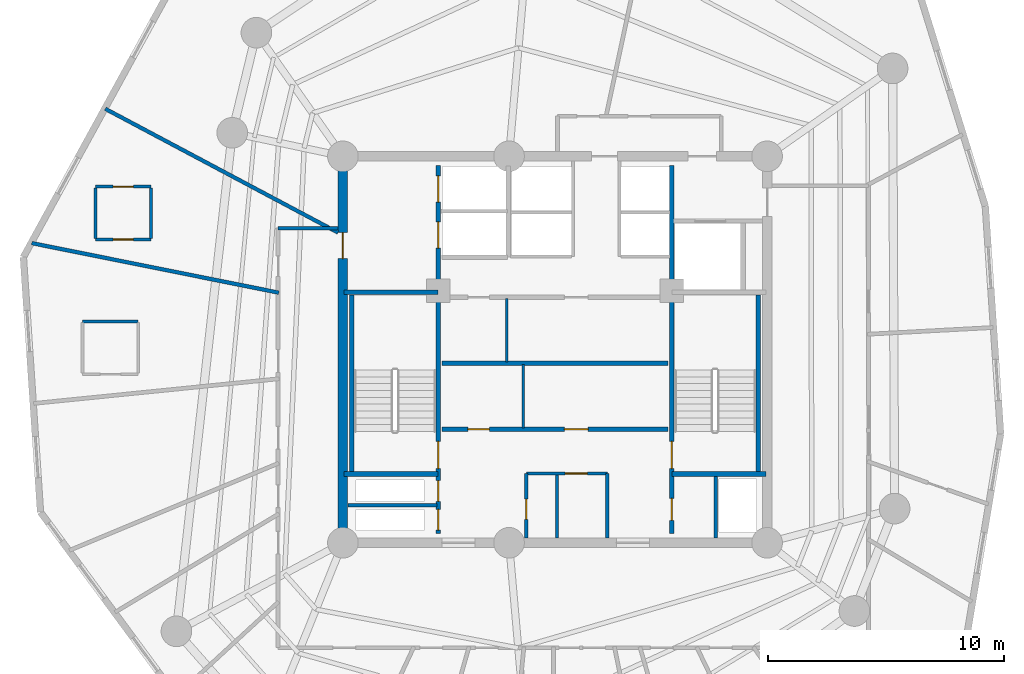
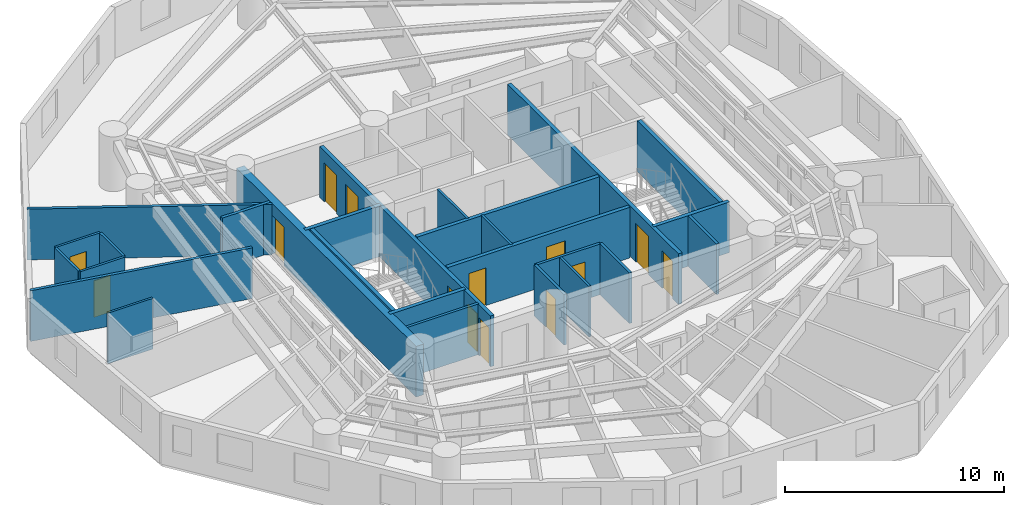
# One storey, part 4 of 7: 26 walls, 14 doors, 14 openings.
"""IFC4 building model written with IfcOpenShell, lengths in metres."""

from ifc_helpers import new_model, si_unit, direction, frame, frame_2d, origin, origin_with_axes, place, context, subcontext, project, spatial, rectangle, extrude, source, transform, mapped, material, layer, layer_set, type_object, element, fill, save


model = new_model("IFC4")

# Units and contexts
model_context = context("Model", 3, precision=1e-05, world=origin(), true_north=direction((0.0, 1.0)))
body_context = subcontext(model_context, "Body", "Model", "MODEL_VIEW")
ifc_project = project(units=[si_unit("LENGTHUNIT", "METRE"), si_unit("AREAUNIT", "SQUARE_METRE"), si_unit("VOLUMEUNIT", "CUBIC_METRE"), si_unit("PLANEANGLEUNIT", "RADIAN"), si_unit("MASSUNIT", "GRAM", prefix="KILO")], contexts=[model_context])

# Site, building, storey
site_placement = place(None, origin())
site = spatial("IfcSite", under=ifc_project, at=site_placement, CompositionType="ELEMENT")
building_placement = place(site_placement, origin())
building = spatial("IfcBuilding", under=site, at=building_placement, Name="Karkom Vertical University and Central Library", CompositionType="ELEMENT")
storey_placement = place(building_placement, frame((0.0, 0.0, 196.199951171875)))
storey = spatial("IfcBuildingStorey", under=building, at=storey_placement, Name="L57", CompositionType="ELEMENT", Elevation=196.199951171875)

# Walls
ifc_material_1 = material(Name="Insulated metal-stud drywall 160mm", Category="gypsum")
ifc_layer_1 = layer(ifc_material_1, 0.159912109375)
ifc_layer_set_1 = layer_set([ifc_layer_1], Name="Insulated metal-stud drywall 160mm")
wall_type_1 = type_object("IfcWallType", Name="INT-WL-COR-160", PredefinedType="PARTITIONING", material=ifc_layer_set_1)
wall_1_placement = place(storey_placement, frame((19.293701171875, 31.463134765625, 0.0), z_axis=(0.0, 0.0, 1.0), x_axis=(-0.882956882712, 0.469454090697, 0.0)))
element("IfcWall", 1, at=wall_1_placement, inside=storey, type_object=wall_type_1, Name="Level 57 Interior Partition Wall L57-PW-018", PredefinedType="PARTITIONING", context=body_context, shape_type="SweptSolid", body=[
    extrude(rectangle(XDim=11.18798828125, YDim=0.159912109375, at=frame_2d((5.593994140625, 0.0))), origin(), (0.0, 0.0, 1.0), 2.824951171875),
])
wall_2_placement = place(storey_placement, frame((16.779296875, 28.91259765625, 0.0), z_axis=(0.0, 0.0, 1.0), x_axis=(-0.980460157776, 0.196717764868, 0.0)))
element("IfcWall", 2, at=wall_2_placement, inside=storey, type_object=wall_type_1, Name="Level 57 Interior Partition Wall L57-PW-019", PredefinedType="PARTITIONING", context=body_context, shape_type="SweptSolid", body=[
    extrude(rectangle(XDim=10.690673828125, YDim=0.159912109375, at=frame_2d((5.34521484375, 0.0))), origin(), (0.0, 0.0, 1.0), 2.824951171875),
])
wall_3_placement = place(storey_placement, frame((16.75, 31.64990234375, 0.0), z_axis=(0.0, 0.0, 1.0), x_axis=(1.0, 0.0, 0.0)))
element("IfcWall", 3, at=wall_3_placement, inside=storey, type_object=wall_type_1, Name="Level 57 Interior Partition Wall L57-CORW-CW-003", PredefinedType="PARTITIONING", context=body_context, shape_type="SweptSolid", body=[
    extrude(rectangle(XDim=2.54296875, YDim=0.159912109375, at=frame_2d((1.271484375, 0.0))), origin(), (0.0, 0.0, 1.0), 2.824951171875),
])
ifc_material_2 = material(Name="Moisture-resistant drywall 120mm", Category="gypsum")
ifc_layer_2 = layer(ifc_material_2, 0.1201171875)
ifc_layer_set_2 = layer_set([ifc_layer_2], Name="Moisture-resistant drywall 120mm")
wall_type_2 = type_object("IfcWallType", Name="INT-WL-INT-120", PredefinedType="PARTITIONING", material=ifc_layer_set_2)
wall_4_placement = place(storey_placement, frame((27.14990234375, 23.169921875, 0.0), z_axis=(0.0, 0.0, 1.0), x_axis=(0.0, 1.0, 0.0)))
element("IfcWall", 4, at=wall_4_placement, inside=storey, type_object=wall_type_2, Name="Level 57 Interior Partition Wall L57-CW-B1-K2", PredefinedType="PARTITIONING", context=body_context, shape_type="SweptSolid", body=[
    extrude(rectangle(XDim=2.7001953125, YDim=0.1201171875, at=frame_2d((1.35009765625, 0.0))), origin(), (0.0, 0.0, 1.0), 2.824951171875),
])
wall_5_placement = place(storey_placement, frame((26.449951171875, 25.969970703125, 0.0), z_axis=(0.0, 0.0, 1.0), x_axis=(0.0, 1.0, 0.0)))
element("IfcWall", 5, at=wall_5_placement, inside=storey, type_object=wall_type_2, Name="Level 57 Interior Partition Wall L57-CW-B2-K2", PredefinedType="PARTITIONING", context=body_context, shape_type="SweptSolid", body=[
    extrude(rectangle(XDim=2.699951171875, YDim=0.1201171875, at=frame_2d((1.35009765625, 0.0))), origin(), (0.0, 0.0, 1.0), 2.824951171875),
])
wall_6_placement = place(storey_placement, frame((28.580078125, 18.507080078125, 0.0), z_axis=(0.0, 0.0, 1.0), x_axis=(0.0, 1.0, 0.0)))
element("IfcWall", 6, at=wall_6_placement, inside=storey, type_object=wall_type_2, Name="Level 57 Interior Partition Wall L57-CW-K2-DIV", PredefinedType="PARTITIONING", context=body_context, shape_type="SweptSolid", body=[
    extrude(rectangle(XDim=2.66162109375, YDim=0.1201171875, at=frame_2d((1.330810546875, 0.0))), origin(), (0.0, 0.0, 1.0), 2.824951171875),
])

# Wall, opening, door
ifc_layer_3 = layer(ifc_material_2, 0.1201171875)
ifc_layer_set_3 = layer_set([ifc_layer_3], Name="Moisture-resistant drywall 120mm")
wall_type_3 = type_object("IfcWallType", Name="INT-WL-INT-120F", PredefinedType="PARTITIONING", material=ifc_layer_set_3)
wall_7_placement = place(storey_placement, frame((9.0009765625, 31.172119140625, 0.0), z_axis=(0.0, 0.0, 1.0), x_axis=(1.0, 0.0, 0.0)))
wall_7 = element("IfcWall", 7, at=wall_7_placement, inside=storey, type_object=wall_type_3, Name="Level 57 Interior Partition Wall L57-ENS-17-S", PredefinedType="PARTITIONING", context=body_context, shape_type="SweptSolid", body=[
    extrude(rectangle(XDim=2.360107421875, YDim=0.1201171875, at=frame_2d((1.18017578125, 0.0))), origin(), (0.0, 0.0, 1.0), 2.824951171875),
])
opening_1_placement = place(wall_7_placement, frame((0.75, 0.0, 0.0)))
opening_1 = element("IfcOpeningElement", 8, at=opening_1_placement, cuts=wall_7, Name="Opening D-BTH2", PredefinedType="OPENING", context=body_context, shape_type="SweptSolid", body=[
    extrude(rectangle(XDim=0.860107421875, YDim=2.0400390625, at=frame_2d((0.43017578125, 1.02001953125))), frame((0.0, 0.070068359375, 0.0), z_axis=(0.0, -1.0, 0.0), x_axis=(1.0, 0.0, 0.0)), (0.0, 0.0, 1.0), 0.14013671875),
])
ifc_material_3 = material(Name="Moisture-resistant oak door", Category="wood")
door_type_1 = type_object("IfcDoorType", Name="INT-DR-DBTH2", OperationType="NOTDEFINED", PredefinedType="DOOR", material=ifc_material_3)
shared_shape_1 = source(origin_with_axes(), body_context, "Body", "SweptSolid", [
    extrude(rectangle(XDim=0.860107421875, YDim=2.0400390625, at=frame_2d((0.43017578125, 1.02001953125))), frame((0.0, 0.02490234375, 0.0), z_axis=(0.0, -1.0, 0.0), x_axis=(1.0, 0.0, 0.0)), (0.0, 0.0, 1.0), 0.050048828125),
])
door_1_placement = place(opening_1_placement, origin())
door_1 = element("IfcDoor", 9, at=door_1_placement, inside=storey, type_object=door_type_1, Name="Level 57 En-Suite Bathroom Door 17", OperationType="SINGLE_SWING_LEFT", OverallHeight=2.0400390625, OverallWidth=0.860107421875, PredefinedType="DOOR", context=body_context, shape_type="MappedRepresentation", body=[
    mapped(shared_shape_1, transform((0.0, 0.0, 0.0), scale=1.0)),
])
fill(opening_1, door_1)

wall_8_placement = place(storey_placement, frame((11.361083984375, 33.412109375, 0.0), z_axis=(0.0, 0.0, 1.0), x_axis=(-1.0, 0.0, 0.0)))
wall_8 = element("IfcWall", 10, at=wall_8_placement, inside=storey, type_object=wall_type_3, Name="Level 57 Interior Partition Wall L57-ENS-17-N", PredefinedType="PARTITIONING", context=body_context, shape_type="SweptSolid", body=[
    extrude(rectangle(XDim=2.360107421875, YDim=0.1201171875, at=frame_2d((1.18017578125, 0.0))), origin(), (0.0, 0.0, 1.0), 2.824951171875),
])
opening_2_placement = place(wall_8_placement, frame((0.75, 0.0, 0.0)))
opening_2 = element("IfcOpeningElement", 11, at=opening_2_placement, cuts=wall_8, Name="Opening FD-BTH2", PredefinedType="OPENING", context=body_context, shape_type="SweptSolid", body=[
    extrude(rectangle(XDim=0.860107421875, YDim=2.0400390625, at=frame_2d((0.43017578125, 1.02001953125))), frame((0.0, 0.070068359375, 0.0), z_axis=(0.0, -1.0, 0.0), x_axis=(1.0, 0.0, 0.0)), (0.0, 0.0, 1.0), 0.14013671875),
])
ifc_material_4 = material(Name="Fire-rated moisture-resistant oak door", Category="wood")
door_type_2 = type_object("IfcDoorType", Name="INT-DR-FBTH2", OperationType="NOTDEFINED", PredefinedType="DOOR", material=ifc_material_4)
door_2_placement = place(opening_2_placement, origin())
door_2 = element("IfcDoor", 12, at=door_2_placement, inside=storey, type_object=door_type_2, Name="Level 57 Key L57-17 En-Suite Bathroom Entry Door", OperationType="SINGLE_SWING_LEFT", OverallHeight=2.0400390625, OverallWidth=0.860107421875, PredefinedType="DOOR", context=body_context, shape_type="MappedRepresentation", body=[
    mapped(shared_shape_1, transform((0.0, 0.0, 0.0), scale=1.0)),
])
fill(opening_2, door_2)

# Walls
wall_9_placement = place(storey_placement, frame((10.81396484375, 27.68896484375, 0.0), z_axis=(0.0, 0.0, 1.0), x_axis=(-1.0, 0.0, 0.0)))
element("IfcWall", 13, at=wall_9_placement, inside=storey, type_object=wall_type_3, Name="Level 57 Interior Partition Wall L57-ENS-18-N", PredefinedType="PARTITIONING", context=body_context, shape_type="SweptSolid", body=[
    extrude(rectangle(XDim=2.35986328125, YDim=0.1201171875, at=frame_2d((1.179931640625, 0.0))), origin(), (0.0, 0.0, 1.0), 2.824951171875),
])
for number, where, z_axis, x_axis, name in (
    (14, (11.361083984375, 31.221923828125, 0.0), (0.0, 0.0, 1.0), (0.0, 1.0, 0.0), "Level 57 Interior Partition Wall L57-ENS-17-E"),
    (15, (9.0009765625, 33.362060546875, 0.0), (0.0, 0.0, 1.0), (0.0, -1.0, 0.0), "Level 57 Interior Partition Wall L57-ENS-17-W"),
):
    element("IfcWall", number, at=place(storey_placement, frame(where, z_axis=z_axis, x_axis=x_axis)), inside=storey, type_object=wall_type_3, Name=name, PredefinedType="PARTITIONING", context=body_context, shape_type="SweptSolid", body=[
        extrude(rectangle(XDim=2.14013671875, YDim=0.1201171875, at=frame_2d((1.070068359375, 0.0))), origin(), (0.0, 0.0, 1.0), 2.824951171875),
    ])

# Wall, opening, door
ifc_material_5 = material(Name="Metal-stud gypsum partition 140mm", Category="gypsum")
ifc_layer_4 = layer(ifc_material_5, 0.139892578125)
ifc_layer_set_4 = layer_set([ifc_layer_4], Name="Metal-stud gypsum partition 140mm")
wall_type_4 = type_object("IfcWallType", Name="INT-WL-SUB-140", PredefinedType="PARTITIONING", material=ifc_layer_set_4)
wall_10_placement = place(storey_placement, frame((27.280029296875, 21.239990234375, 0.0), z_axis=(0.0, 0.0, 1.0), x_axis=(1.0, 0.0, 0.0)))
wall_10 = element("IfcWall", 16, at=wall_10_placement, inside=storey, type_object=wall_type_4, Name="Level 57 Interior Partition Wall L57-CW-KBAY-N", PredefinedType="PARTITIONING", context=body_context, shape_type="SweptSolid", body=[
    extrude(rectangle(XDim=3.43994140625, YDim=0.139892578125, at=frame_2d((1.719970703125, 0.0))), origin(), (0.0, 0.0, 1.0), 2.824951171875),
])
opening_3_placement = place(wall_10_placement, frame((1.64990234375, 0.0, 0.0)))
opening_3 = element("IfcOpeningElement", 17, at=opening_3_placement, cuts=wall_10, Name="Opening D-WC1", PredefinedType="OPENING", context=body_context, shape_type="SweptSolid", body=[
    extrude(rectangle(XDim=0.93994140625, YDim=2.10009765625, at=frame_2d((0.469970703125, 1.050048828125))), frame((0.0, 0.080078125, 0.0), z_axis=(0.0, -1.0, 0.0), x_axis=(1.0, 0.0, 0.0)), (0.0, 0.0, 1.0), 0.159912109375),
])
ifc_material_6 = material(Name="Fire-rated laminate moisture-resistant door", Category="wood")
door_type_3 = type_object("IfcDoorType", Name="INT-DR-WC1", OperationType="NOTDEFINED", PredefinedType="DOOR", material=ifc_material_6)
shared_shape_2 = source(origin_with_axes(), body_context, "Body", "SweptSolid", [
    extrude(rectangle(XDim=0.93994140625, YDim=2.10009765625, at=frame_2d((0.469970703125, 1.050048828125))), frame((0.0, 0.02490234375, 0.0), z_axis=(0.0, -1.0, 0.0), x_axis=(1.0, 0.0, 0.0)), (0.0, 0.0, 1.0), 0.050048828125),
])
door_3_placement = place(opening_3_placement, origin())
door_3 = element("IfcDoor", 18, at=door_3_placement, inside=storey, type_object=door_type_3, Name="Level 57 Staff WC Door", OperationType="SINGLE_SWING_LEFT", OverallHeight=2.10009765625, OverallWidth=0.93994140625, PredefinedType="DOOR", context=body_context, shape_type="MappedRepresentation", body=[
    mapped(shared_shape_2, transform((0.0, 0.0, 0.0), scale=1.0)),
])
fill(opening_3, door_3)

wall_11_placement = place(storey_placement, frame((27.280029296875, 18.507080078125, 0.0), z_axis=(0.0, 0.0, 1.0), x_axis=(0.0, 1.0, 0.0)))
wall_11 = element("IfcWall", 19, at=wall_11_placement, inside=storey, type_object=wall_type_4, Name="Level 57 Interior Partition Wall L57-CW-KBAY-W", PredefinedType="PARTITIONING", context=body_context, shape_type="SweptSolid", body=[
    extrude(rectangle(XDim=2.73291015625, YDim=0.139892578125, at=frame_2d((1.366455078125, 0.0))), origin(), (0.0, 0.0, 1.0), 2.824951171875),
])
opening_4_placement = place(wall_11_placement, frame((0.7900390625, 0.0, 0.0)))
opening_4 = element("IfcOpeningElement", 20, at=opening_4_placement, cuts=wall_11, Name="Opening D-BATH", PredefinedType="OPENING", context=body_context, shape_type="SweptSolid", body=[
    extrude(rectangle(XDim=0.860107421875, YDim=2.10009765625, at=frame_2d((0.43017578125, 1.050048828125))), frame((0.0, 0.080078125, 0.0), z_axis=(0.0, -1.0, 0.0), x_axis=(1.0, 0.0, 0.0)), (0.0, 0.0, 1.0), 0.159912109375),
])
door_type_4 = type_object("IfcDoorType", Name="INT-DR-BATH", OperationType="NOTDEFINED", PredefinedType="DOOR", material=ifc_material_3)
shared_shape_3 = source(origin_with_axes(), body_context, "Body", "SweptSolid", [
    extrude(rectangle(XDim=0.860107421875, YDim=2.10009765625, at=frame_2d((0.43017578125, 1.050048828125))), frame((0.0, 0.02490234375, 0.0), z_axis=(0.0, -1.0, 0.0), x_axis=(1.0, 0.0, 0.0)), (0.0, 0.0, 1.0), 0.050048828125),
])
door_4_placement = place(opening_4_placement, origin())
door_4 = element("IfcDoor", 21, at=door_4_placement, inside=storey, type_object=door_type_4, Name="Level 57 Cleaners Store Door", OperationType="SINGLE_SWING_RIGHT", OverallHeight=2.10009765625, OverallWidth=0.860107421875, PredefinedType="DOOR", context=body_context, shape_type="MappedRepresentation", body=[
    mapped(shared_shape_3, transform((0.0, 0.0, 0.0), scale=1.0)),
])
fill(opening_4, door_4)

# Walls
wall_12_placement = place(storey_placement, frame((30.719970703125, 18.507080078125, 0.0), z_axis=(0.0, 0.0, 1.0), x_axis=(0.0, 1.0, 0.0)))
element("IfcWall", 22, at=wall_12_placement, inside=storey, type_object=wall_type_4, Name="Level 57 Interior Partition Wall L57-CW-KBAY-E", PredefinedType="PARTITIONING", context=body_context, shape_type="SweptSolid", body=[
    extrude(rectangle(XDim=2.73291015625, YDim=0.139892578125, at=frame_2d((1.366455078125, 0.0))), origin(), (0.0, 0.0, 1.0), 2.824951171875),
])
ifc_layer_5 = layer(ifc_material_5, 0.139892578125)
ifc_layer_set_5 = layer_set([ifc_layer_5], Name="Metal-stud gypsum partition 140mm")
wall_type_5 = type_object("IfcWallType", Name="INT-WL-SUB-140H", PredefinedType="PARTITIONING", material=ifc_layer_set_5)
wall_13_placement = place(storey_placement, frame((19.70703125, 19.889892578125, 0.0), z_axis=(0.0, 0.0, 1.0), x_axis=(1.0, 0.0, 0.0)))
element("IfcWall", 23, at=wall_13_placement, inside=storey, type_object=wall_type_5, Name="Level 57 Interior Partition Wall L57-CW-RIS-W", PredefinedType="PARTITIONING", context=body_context, shape_type="SweptSolid", body=[
    extrude(rectangle(XDim=3.789794921875, YDim=0.139892578125, at=frame_2d((1.89501953125, 0.0))), origin(), (0.0, 0.0, 1.0), 2.824951171875),
])
wall_14_placement = place(storey_placement, frame((35.320068359375, 18.507080078125, 0.0), z_axis=(0.0, 0.0, 1.0), x_axis=(0.0, 1.0, 0.0)))
element("IfcWall", 24, at=wall_14_placement, inside=storey, type_object=wall_type_5, Name="Level 57 Interior Partition Wall L57-CW-RIS-E", PredefinedType="PARTITIONING", context=body_context, shape_type="SweptSolid", body=[
    extrude(rectangle(XDim=2.603759765625, YDim=0.139892578125, at=frame_2d((1.3017578125, 0.0))), origin(), (0.0, 0.0, 1.0), 2.824951171875),
])

# Wall, opening, door
ifc_material_7 = material(Name="Concrete C50/60", Category="concrete")
ifc_layer_6 = layer(ifc_material_7, 0.39990234375)
ifc_layer_set_6 = layer_set([ifc_layer_6], Name="Concrete C50/60")
wall_type_6 = type_object("IfcWallType", Name="STR-WL-CW-400", PredefinedType="SHEAR", material=ifc_layer_set_6)
wall_15_placement = place(storey_placement, frame((19.5, 34.699951171875, 0.0), z_axis=(0.0, 0.0, 1.0), x_axis=(0.0, -1.0, 0.0)))
wall_15 = element("IfcWall", 25, at=wall_15_placement, inside=storey, type_object=wall_type_6, Name="Level 57 Central Core Shear Wall WW", PredefinedType="SHEAR", context=body_context, shape_type="SweptSolid", body=[
    extrude(rectangle(XDim=16.39990234375, YDim=0.39990234375, at=frame_2d((8.199951171875, 0.0))), origin(), (0.0, 0.0, 1.0), 2.824951171875),
])
opening_5_placement = place(wall_15_placement, frame((3.239990234375, 0.0, 0.0)))
opening_5 = element("IfcOpeningElement", 26, at=opening_5_placement, cuts=wall_15, Name="Opening FD-FFL", PredefinedType="OPENING", context=body_context, shape_type="SweptSolid", body=[
    extrude(rectangle(XDim=1.10009765625, YDim=2.14990234375, at=frame_2d((0.550048828125, 1.074951171875))), frame((0.0, 0.2099609375, 0.0), z_axis=(0.0, -1.0, 0.0), x_axis=(1.0, 0.0, 0.0)), (0.0, 0.0, 1.0), 0.419921875),
])
ifc_material_8 = material(Name="Painted steel smoke-seal fire door", Category="steel")
door_type_5 = type_object("IfcDoorType", Name="INT-DR-FFL", OperationType="NOTDEFINED", PredefinedType="DOOR", material=ifc_material_8)
shared_shape_4 = source(origin_with_axes(), body_context, "Body", "SweptSolid", [
    extrude(rectangle(XDim=1.10009765625, YDim=2.14990234375, at=frame_2d((0.550048828125, 1.074951171875))), frame((0.0, 0.02490234375, 0.0), z_axis=(0.0, -1.0, 0.0), x_axis=(1.0, 0.0, 0.0)), (0.0, 0.0, 1.0), 0.050048828125),
])
door_5_placement = place(opening_5_placement, origin())
door_5 = element("IfcDoor", 27, at=door_5_placement, inside=storey, type_object=door_type_5, Name="Level 57 West Corridor Firefighting Lobby Door", OperationType="SINGLE_SWING_RIGHT", OverallHeight=2.14990234375, OverallWidth=1.10009765625, PredefinedType="DOOR", context=body_context, shape_type="MappedRepresentation", body=[
    mapped(shared_shape_4, transform((0.0, 0.0, 0.0), scale=1.0)),
])
fill(opening_5, door_5)

# Wall, openings, doors
ifc_material_9 = material(Name="Concrete C45/55", Category="concrete")
ifc_layer_7 = layer(ifc_material_9, 0.199951171875)
ifc_layer_set_7 = layer_set([ifc_layer_7], Name="Concrete C45/55")
wall_type_7 = type_object("IfcWallType", Name="STR-WL-ST-200", PredefinedType="SHEAR", material=ifc_layer_set_7)
wall_16_placement = place(storey_placement, frame((23.544921875, 18.699951171875, 0.0), z_axis=(0.0, 0.0, 1.0), x_axis=(0.0, 1.0, 0.0)))
wall_16 = element("IfcWall", 28, at=wall_16_placement, inside=storey, type_object=wall_type_7, Name="Level 57 Core Shaft Wall L57-CW-ST1-E", PredefinedType="SHEAR", context=body_context, shape_type="SweptSolid", body=[
    extrude(rectangle(XDim=15.60009765625, YDim=0.199951171875, at=frame_2d((7.800048828125, 0.0))), origin(), (0.0, 0.0, 1.0), 2.824951171875),
])
opening_6_placement = place(wall_16_placement, frame((2.75, 0.0, 0.0)))
opening_6 = element("IfcOpeningElement", 29, at=opening_6_placement, cuts=wall_16, Name="Opening FD-ST1", PredefinedType="OPENING", context=body_context, shape_type="SweptSolid", body=[
    extrude(rectangle(XDim=1.14990234375, YDim=2.14990234375, at=frame_2d((0.574951171875, 1.074951171875))), frame((0.0, 0.10986328125, 0.0), z_axis=(0.0, -1.0, 0.0), x_axis=(1.0, 0.0, 0.0)), (0.0, 0.0, 1.0), 0.219970703125),
])
opening_7_placement = place(wall_16_placement, frame((0.139892578125, 0.0, 0.0)))
opening_7 = element("IfcOpeningElement", 30, at=opening_7_placement, cuts=wall_16, Name="Opening FD-RIS", PredefinedType="OPENING", context=body_context, shape_type="SweptSolid", body=[
    extrude(rectangle(XDim=0.8798828125, YDim=2.10009765625, at=frame_2d((0.43994140625, 1.050048828125))), frame((0.0, 0.10986328125, 0.0), z_axis=(0.0, -1.0, 0.0), x_axis=(1.0, 0.0, 0.0)), (0.0, 0.0, 1.0), 0.219970703125),
])
opening_8_placement = place(wall_16_placement, frame((1.360107421875, 0.0, 0.0)))
opening_8 = element("IfcOpeningElement", 31, at=opening_8_placement, cuts=wall_16, Name="Opening FD-RIS", PredefinedType="OPENING", context=body_context, shape_type="SweptSolid", body=[
    extrude(rectangle(XDim=0.8798828125, YDim=2.10009765625, at=frame_2d((0.43994140625, 1.050048828125))), frame((0.0, 0.10986328125, 0.0), z_axis=(0.0, -1.0, 0.0), x_axis=(1.0, 0.0, 0.0)), (0.0, 0.0, 1.0), 0.219970703125),
])
opening_9_placement = place(wall_16_placement, frame((12.10009765625, 0.0, 0.0)))
opening_9 = element("IfcOpeningElement", 32, at=opening_9_placement, cuts=wall_16, Name="Opening LD-FFL", PredefinedType="OPENING", context=body_context, shape_type="SweptSolid", body=[
    extrude(rectangle(XDim=1.1201171875, YDim=2.14990234375, at=frame_2d((0.56005859375, 1.074951171875))), frame((0.0, 0.10986328125, 0.0), z_axis=(0.0, -1.0, 0.0), x_axis=(1.0, 0.0, 0.0)), (0.0, 0.0, 1.0), 0.219970703125),
])
opening_10_placement = place(wall_16_placement, frame((14.050048828125, 0.0, 0.0)))
opening_10 = element("IfcOpeningElement", 33, at=opening_10_placement, cuts=wall_16, Name="Opening LD-FFL", PredefinedType="OPENING", context=body_context, shape_type="SweptSolid", body=[
    extrude(rectangle(XDim=1.1201171875, YDim=2.14990234375, at=frame_2d((0.56005859375, 1.074951171875))), frame((0.0, 0.10986328125, 0.0), z_axis=(0.0, -1.0, 0.0), x_axis=(1.0, 0.0, 0.0)), (0.0, 0.0, 1.0), 0.219970703125),
])
ifc_material_10 = material(Name="Painted steel acoustic fire door", Category="steel")
door_type_6 = type_object("IfcDoorType", Name="INT-DR-ST1", OperationType="NOTDEFINED", PredefinedType="DOOR", material=ifc_material_10)
shared_shape_5 = source(origin_with_axes(), body_context, "Body", "SweptSolid", [
    extrude(rectangle(XDim=1.14990234375, YDim=2.14990234375, at=frame_2d((0.574951171875, 1.074951171875))), frame((0.0, 0.02490234375, 0.0), z_axis=(0.0, -1.0, 0.0), x_axis=(1.0, 0.0, 0.0)), (0.0, 0.0, 1.0), 0.050048828125),
])
door_6_placement = place(opening_6_placement, origin())
door_6 = element("IfcDoor", 34, at=door_6_placement, inside=storey, type_object=door_type_6, Name="Level 57 Stair ST-1 Fire Door", OperationType="SINGLE_SWING_RIGHT", OverallHeight=2.14990234375, OverallWidth=1.14990234375, PredefinedType="DOOR", context=body_context, shape_type="MappedRepresentation", body=[
    mapped(shared_shape_5, transform((0.0, 0.0, 0.0), scale=1.0)),
])
fill(opening_6, door_6)
ifc_material_11 = material(Name="Painted steel riser access door", Category="steel")
door_type_7 = type_object("IfcDoorType", Name="INT-DR-RIS", OperationType="NOTDEFINED", PredefinedType="DOOR", material=ifc_material_11)
shared_shape_6 = source(origin_with_axes(), body_context, "Body", "SweptSolid", [
    extrude(rectangle(XDim=0.8798828125, YDim=2.10009765625, at=frame_2d((0.43994140625, 1.050048828125))), frame((0.0, 0.02490234375, 0.0), z_axis=(0.0, -1.0, 0.0), x_axis=(1.0, 0.0, 0.0)), (0.0, 0.0, 1.0), 0.050048828125),
])
door_7_placement = place(opening_7_placement, origin())
door_7 = element("IfcDoor", 35, at=door_7_placement, inside=storey, type_object=door_type_7, Name="Level 57 Electrical Riser Access Door", OperationType="SINGLE_SWING_LEFT", OverallHeight=2.10009765625, OverallWidth=0.8798828125, PredefinedType="DOOR", context=body_context, shape_type="MappedRepresentation", body=[
    mapped(shared_shape_6, transform((0.0, 0.0, 0.0), scale=1.0)),
])
fill(opening_7, door_7)
door_8_placement = place(opening_8_placement, origin())
door_8 = element("IfcDoor", 36, at=door_8_placement, inside=storey, type_object=door_type_7, Name="Level 57 Telecom Riser Access Door", OperationType="SINGLE_SWING_RIGHT", OverallHeight=2.10009765625, OverallWidth=0.8798828125, PredefinedType="DOOR", context=body_context, shape_type="MappedRepresentation", body=[
    mapped(shared_shape_6, transform((0.0, 0.0, 0.0), scale=1.0)),
])
fill(opening_8, door_8)
ifc_material_12 = material(Name="Fire-rated stainless-steel landing door", Category="steel")
door_type_8 = type_object("IfcDoorType", Name="INT-DR-LD-FFL", OperationType="SLIDING_TO_LEFT", PredefinedType="DOOR", material=ifc_material_12)
shared_shape_7 = source(origin_with_axes(), body_context, "Body", "SweptSolid", [
    extrude(rectangle(XDim=1.1201171875, YDim=2.14990234375, at=frame_2d((0.56005859375, 1.074951171875))), frame((0.0, 0.02490234375, 0.0), z_axis=(0.0, -1.0, 0.0), x_axis=(1.0, 0.0, 0.0)), (0.0, 0.0, 1.0), 0.050048828125),
])
door_9_placement = place(opening_9_placement, origin())
door_9 = element("IfcDoor", 37, at=door_9_placement, inside=storey, type_object=door_type_8, Name="Level 57 Firefighting Lift FFL-1 Landing Door", OperationType="SLIDING_TO_LEFT", OverallHeight=2.14990234375, OverallWidth=1.1201171875, PredefinedType="DOOR", context=body_context, shape_type="MappedRepresentation", body=[
    mapped(shared_shape_7, transform((0.0, 0.0, 0.0), scale=1.0)),
])
fill(opening_9, door_9)
door_10_placement = place(opening_10_placement, origin())
door_10 = element("IfcDoor", 38, at=door_10_placement, inside=storey, type_object=door_type_8, Name="Level 57 Firefighting Lift FFL-2 Landing Door", OperationType="SLIDING_TO_RIGHT", OverallHeight=2.14990234375, OverallWidth=1.1201171875, PredefinedType="DOOR", context=body_context, shape_type="MappedRepresentation", body=[
    mapped(shared_shape_7, transform((0.0, 0.0, 0.0), scale=1.0)),
])
fill(opening_10, door_10)

wall_17_placement = place(storey_placement, frame((33.455078125, 18.699951171875, 0.0), z_axis=(0.0, 0.0, 1.0), x_axis=(0.0, 1.0, 0.0)))
wall_17 = element("IfcWall", 39, at=wall_17_placement, inside=storey, type_object=wall_type_7, Name="Level 57 Core Shaft Wall L57-CW-ST2-W", PredefinedType="SHEAR", context=body_context, shape_type="SweptSolid", body=[
    extrude(rectangle(XDim=15.60009765625, YDim=0.199951171875, at=frame_2d((7.800048828125, 0.0))), origin(), (0.0, 0.0, 1.0), 2.824951171875),
])
opening_11_placement = place(wall_17_placement, frame((2.75, 0.0, 0.0)))
opening_11 = element("IfcOpeningElement", 40, at=opening_11_placement, cuts=wall_17, Name="Opening FD-ST1", PredefinedType="OPENING", context=body_context, shape_type="SweptSolid", body=[
    extrude(rectangle(XDim=1.14990234375, YDim=2.14990234375, at=frame_2d((0.574951171875, 1.074951171875))), frame((0.0, 0.10986328125, 0.0), z_axis=(0.0, -1.0, 0.0), x_axis=(1.0, 0.0, 0.0)), (0.0, 0.0, 1.0), 0.219970703125),
])
opening_12_placement = place(wall_17_placement, frame((0.550048828125, 0.0, 0.0)))
opening_12 = element("IfcOpeningElement", 41, at=opening_12_placement, cuts=wall_17, Name="Opening D-WC1", PredefinedType="OPENING", context=body_context, shape_type="SweptSolid", body=[
    extrude(rectangle(XDim=0.93994140625, YDim=2.10009765625, at=frame_2d((0.469970703125, 1.050048828125))), frame((0.0, 0.10986328125, 0.0), z_axis=(0.0, -1.0, 0.0), x_axis=(1.0, 0.0, 0.0)), (0.0, 0.0, 1.0), 0.219970703125),
])
door_11_placement = place(opening_11_placement, origin())
door_11 = element("IfcDoor", 42, at=door_11_placement, inside=storey, type_object=door_type_6, Name="Level 57 Stair ST-2 Fire Door", OperationType="SINGLE_SWING_LEFT", OverallHeight=2.14990234375, OverallWidth=1.14990234375, PredefinedType="DOOR", context=body_context, shape_type="MappedRepresentation", body=[
    mapped(shared_shape_5, transform((0.0, 0.0, 0.0), scale=1.0)),
])
fill(opening_11, door_11)
door_12_placement = place(opening_12_placement, origin())
door_12 = element("IfcDoor", 43, at=door_12_placement, inside=storey, type_object=door_type_3, Name="Level 57 Accessible WC Door", OperationType="SINGLE_SWING_LEFT", OverallHeight=2.10009765625, OverallWidth=0.93994140625, PredefinedType="DOOR", context=body_context, shape_type="MappedRepresentation", body=[
    mapped(shared_shape_2, transform((0.0, 0.0, 0.0), scale=1.0)),
])
fill(opening_12, door_12)

wall_18_placement = place(storey_placement, frame((23.699951171875, 23.1201171875, 0.0), z_axis=(0.0, 0.0, 1.0), x_axis=(1.0, 0.0, 0.0)))
wall_18 = element("IfcWall", 44, at=wall_18_placement, inside=storey, type_object=wall_type_7, Name="Level 57 Core Shaft Wall L57-CW-B1-S", PredefinedType="SHEAR", context=body_context, shape_type="SweptSolid", body=[
    extrude(rectangle(XDim=9.60009765625, YDim=0.199951171875, at=frame_2d((4.800048828125, 0.0))), origin(), (0.0, 0.0, 1.0), 2.824951171875),
])
opening_13_placement = place(wall_18_placement, frame((1.10009765625, 0.0, 0.0)))
opening_13 = element("IfcOpeningElement", 45, at=opening_13_placement, cuts=wall_18, Name="Opening D-SVC1", PredefinedType="OPENING", context=body_context, shape_type="SweptSolid", body=[
    extrude(rectangle(XDim=0.919921875, YDim=2.10009765625, at=frame_2d((0.4599609375, 1.050048828125))), frame((0.0, 0.10986328125, 0.0), z_axis=(0.0, -1.0, 0.0), x_axis=(1.0, 0.0, 0.0)), (0.0, 0.0, 1.0), 0.219970703125),
])
opening_14_placement = place(wall_18_placement, frame((5.199951171875, 0.0, 0.0)))
opening_14 = element("IfcOpeningElement", 46, at=opening_14_placement, cuts=wall_18, Name="Opening D-STR1", PredefinedType="OPENING", context=body_context, shape_type="SweptSolid", body=[
    extrude(rectangle(XDim=1.0, YDim=2.14990234375, at=frame_2d((0.5, 1.074951171875))), frame((0.0, 0.10986328125, 0.0), z_axis=(0.0, -1.0, 0.0), x_axis=(1.0, 0.0, 0.0)), (0.0, 0.0, 1.0), 0.219970703125),
])
ifc_material_13 = material(Name="Painted timber service door", Category="wood")
door_type_9 = type_object("IfcDoorType", Name="INT-DR-SVC1", OperationType="NOTDEFINED", PredefinedType="DOOR", material=ifc_material_13)
shared_shape_8 = source(origin_with_axes(), body_context, "Body", "SweptSolid", [
    extrude(rectangle(XDim=0.919921875, YDim=2.10009765625, at=frame_2d((0.4599609375, 1.050048828125))), frame((0.0, 0.02490234375, 0.0), z_axis=(0.0, -1.0, 0.0), x_axis=(1.0, 0.0, 0.0)), (0.0, 0.0, 1.0), 0.050048828125),
])
door_13_placement = place(opening_13_placement, origin())
door_13 = element("IfcDoor", 47, at=door_13_placement, inside=storey, type_object=door_type_9, Name="Level 57 B1 West Store Door", OperationType="SINGLE_SWING_RIGHT", OverallHeight=2.10009765625, OverallWidth=0.919921875, PredefinedType="DOOR", context=body_context, shape_type="MappedRepresentation", body=[
    mapped(shared_shape_8, transform((0.0, 0.0, 0.0), scale=1.0)),
])
fill(opening_13, door_13)
ifc_material_14 = material(Name="Solid-core hardwood fire door", Category="wood")
door_type_10 = type_object("IfcDoorType", Name="INT-DR-STR1", OperationType="NOTDEFINED", PredefinedType="DOOR", material=ifc_material_14)
shared_shape_9 = source(origin_with_axes(), body_context, "Body", "SweptSolid", [
    extrude(rectangle(XDim=1.0, YDim=2.14990234375, at=frame_2d((0.5, 1.074951171875))), frame((0.0, 0.02490234375, 0.0), z_axis=(0.0, -1.0, 0.0), x_axis=(1.0, 0.0, 0.0)), (0.0, 0.0, 1.0), 0.050048828125),
])
door_14_placement = place(opening_14_placement, origin())
door_14 = element("IfcDoor", 48, at=door_14_placement, inside=storey, type_object=door_type_10, Name="Level 57 B1 East Plant Door", OperationType="SINGLE_SWING_LEFT", OverallHeight=2.14990234375, OverallWidth=1.0, PredefinedType="DOOR", context=body_context, shape_type="MappedRepresentation", body=[
    mapped(shared_shape_9, transform((0.0, 0.0, 0.0), scale=1.0)),
])
fill(opening_14, door_14)

# Walls
wall_19_placement = place(storey_placement, frame((23.699951171875, 25.919921875, 0.0), z_axis=(0.0, 0.0, 1.0), x_axis=(1.0, 0.0, 0.0)))
element("IfcWall", 49, at=wall_19_placement, inside=storey, type_object=wall_type_7, Name="Level 57 Core Shaft Wall L57-CW-B1-N", PredefinedType="SHEAR", context=body_context, shape_type="SweptSolid", body=[
    extrude(rectangle(XDim=9.60009765625, YDim=0.199951171875, at=frame_2d((4.800048828125, 0.0))), origin(), (0.0, 0.0, 1.0), 2.824951171875),
])
for number, where, z_axis, x_axis, name in (
    (50, (19.875, 21.320068359375, 0.0), (0.0, 0.0, 1.0), (0.0, 1.0, 0.0), "Level 57 Core Shaft Wall L57-CW-ST1-W"),
    (51, (37.125, 21.320068359375, 0.0), (0.0, 0.0, 1.0), (0.0, 1.0, 0.0), "Level 57 Core Shaft Wall L57-CW-ST2-E"),
):
    element("IfcWall", number, at=place(storey_placement, frame(where, z_axis=z_axis, x_axis=x_axis)), inside=storey, type_object=wall_type_7, Name=name, PredefinedType="SHEAR", context=body_context, shape_type="SweptSolid", body=[
        extrude(rectangle(XDim=7.5, YDim=0.199951171875, at=frame_2d((3.75, 0.0))), origin(), (0.0, 0.0, 1.0), 2.824951171875),
    ])
for number, where, z_axis, x_axis, name in (
    (52, (33.455078125, 21.215087890625, 0.0), (0.0, 0.0, 1.0), (1.0, 0.0, 0.0), "Level 57 Core Shaft Wall L57-CW-ST2-S"),
    (53, (19.550048828125, 21.215087890625, 0.0), (0.0, 0.0, 1.0), (1.0, 0.0, 0.0), "Level 57 Core Shaft Wall L57-CW-ST1-S"),
    (54, (19.550048828125, 28.925048828125, 0.0), (0.0, 0.0, 1.0), (1.0, 0.0, 0.0), "Level 57 Core Shaft Wall L57-CW-ST1-N"),
):
    element("IfcWall", number, at=place(storey_placement, frame(where, z_axis=z_axis, x_axis=x_axis)), inside=storey, type_object=wall_type_7, Name=name, PredefinedType="SHEAR", context=body_context, shape_type="SweptSolid", body=[
        extrude(rectangle(XDim=3.994873046875, YDim=0.199951171875, at=frame_2d((1.99755859375, 0.0))), origin(), (0.0, 0.0, 1.0), 2.824951171875),
    ])

save(model, "model.ifc")
